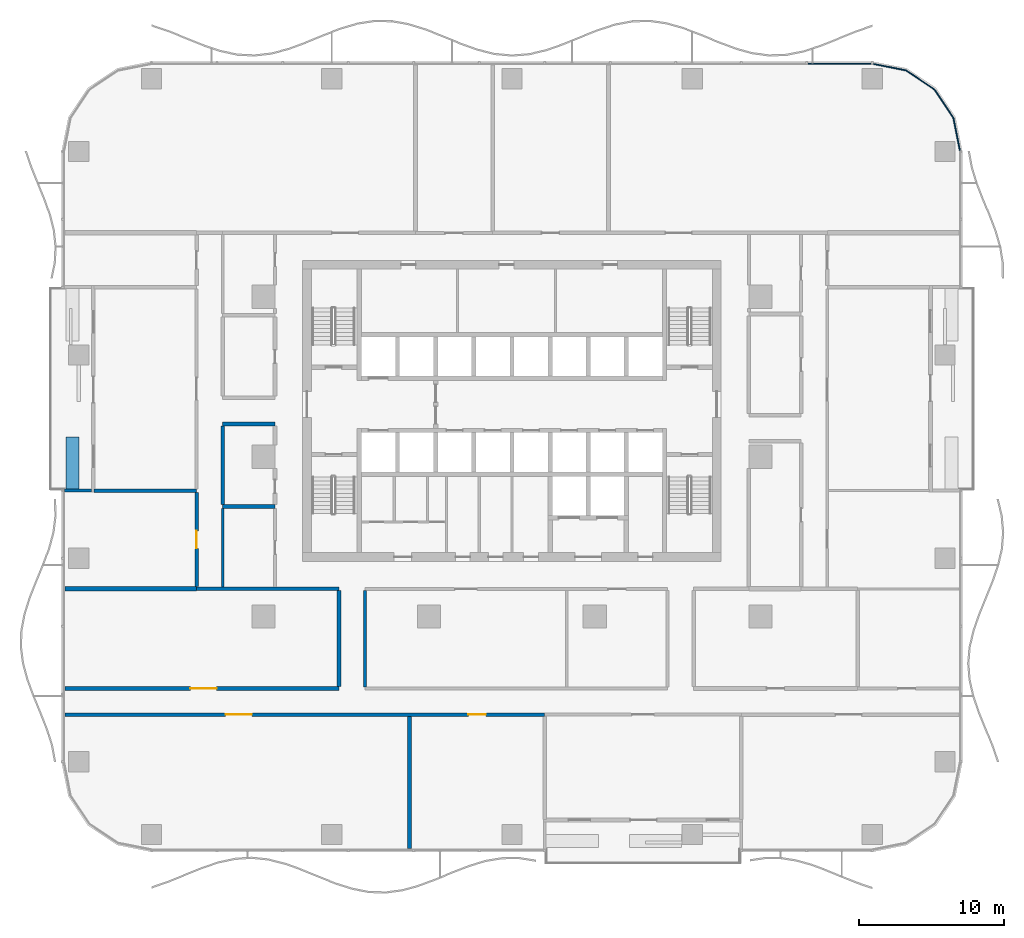
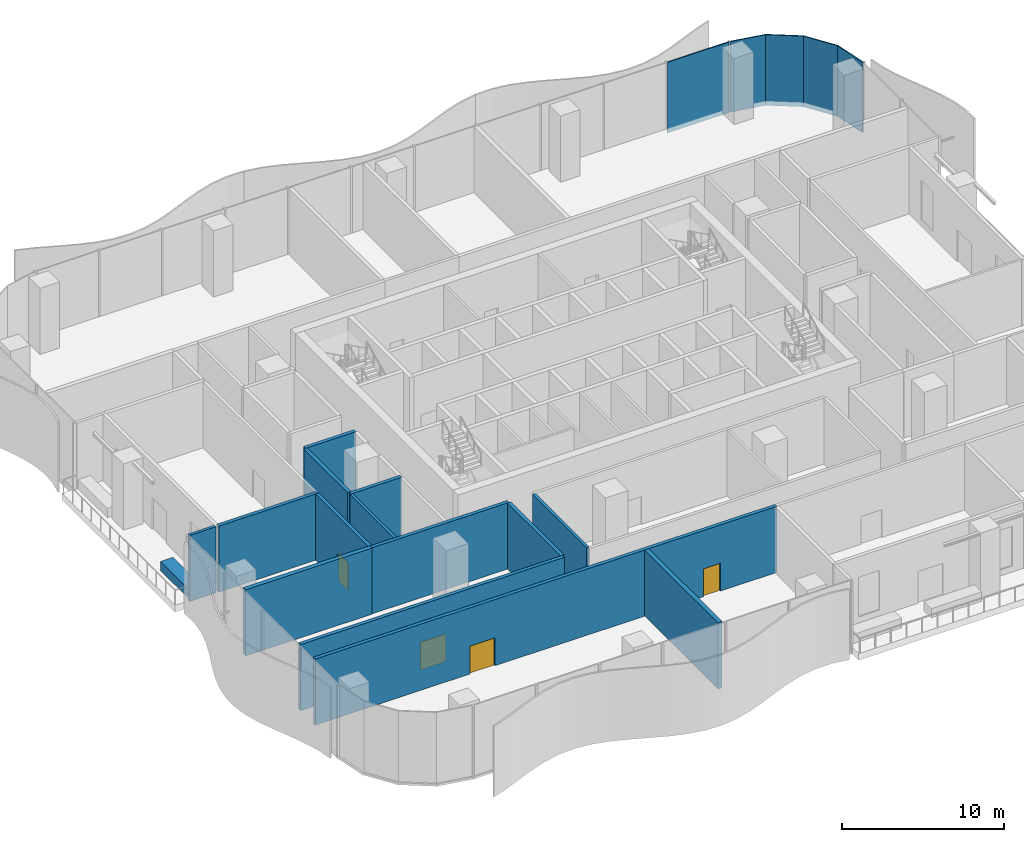
# One storey, part 7 of 21: 15 walls, 4 doors, 2 plates, 4 openings, 2 elements without a shape of their own.
"""IFC4 building model written with IfcOpenShell, lengths in metres."""

from ifc_helpers import new_model, si_unit, direction, frame, frame_2d, origin, origin_2d, place, context, subcontext, project, spatial, polyline, rectangle, outline, extrude, material, layer, layer_set, type_object, element, fill, aggregate, save


model = new_model("IFC4")

# Units and contexts
model_context = context("Model", 3, precision=1e-05, world=origin(), true_north=direction((0.0, 1.0)))
body_context = subcontext(model_context, "Body", "Model", "MODEL_VIEW")
ifc_project = project(units=[si_unit("LENGTHUNIT", "METRE"), si_unit("AREAUNIT", "SQUARE_METRE"), si_unit("VOLUMEUNIT", "CUBIC_METRE"), si_unit("PLANEANGLEUNIT", "RADIAN"), si_unit("MASSUNIT", "GRAM", prefix="KILO")], contexts=[model_context])

# Site, building, storey
site_placement = place(None, origin())
site = spatial("IfcSite", under=ifc_project, at=site_placement, CompositionType="ELEMENT")
building_placement = place(site_placement, origin())
building = spatial("IfcBuilding", under=site, at=building_placement, Name="Mopane Tessera Tower", CompositionType="ELEMENT")
storey_placement = place(building_placement, frame((0.0, 0.0, 20.0)))
storey = spatial("IfcBuildingStorey", under=building, at=storey_placement, Name="L03", CompositionType="ELEMENT", Elevation=20.0)

# Curtain wall, plate
ifc_material_1 = material(Name="Aluminium frame", Category="aluminium")
curtain_wall_type = type_object("IfcCurtainWallType", Name="Podium unitised wall", PredefinedType="NOTDEFINED", material=ifc_material_1)
curtain_wall_1_placement = place(storey_placement, origin())
curtain_wall_1 = element("IfcCurtainWall", 1, at=curtain_wall_1_placement, inside=storey, type_object=curtain_wall_type, Name="e:cw:L03:CE", PredefinedType="NOTDEFINED")
ifc_material_2 = material(Name="Limestone spandrel", Category="masonry")
ifc_layer_1 = layer(ifc_material_2, 0.080078125)
ifc_layer_set_1 = layer_set([ifc_layer_1], Name="Limestone spandrel")
plate_type = type_object("IfcPlateType", Name="Podium stone spandrel unit", PredefinedType="CURTAIN_PANEL", material=ifc_layer_set_1)
plate_1_placement = place(storey_placement, frame((0.0, 0.0, -0.340087890625)))
plate_1 = element("IfcPlate", 2, at=plate_1_placement, type_object=plate_type, Name="e:cw:L03:CE:pn", PredefinedType="CURTAIN_PANEL", context=body_context, shape_type="SweptSolid", body=[
    extrude(outline(polyline([(30.800048828125, 21.0), (30.34326171875, 23.296142578125), (29.042724609375, 25.24267578125), (27.09619140625, 26.543212890625), (24.800048828125, 27.0), (24.800048828125, 27.080078125), (27.126708984375, 26.6171875), (29.09912109375, 25.29931640625), (30.417236328125, 23.32666015625), (30.8798828125, 21.0), (30.800048828125, 21.0)])), origin(), (0.0, 0.0, 1.0), 5.340087890625),
])
aggregate(curtain_wall_1, [plate_1])

curtain_wall_2_placement = place(storey_placement, origin())
curtain_wall_2 = element("IfcCurtainWall", 3, at=curtain_wall_2_placement, inside=storey, type_object=curtain_wall_type, Name="e:cw:L03:N:0", PredefinedType="NOTDEFINED")
plate_2_placement = place(storey_placement, frame((22.54541015625, 27.0400390625, -0.33984375), z_axis=(0.0, 0.0, 1.0), x_axis=(-1.0, 0.0, 0.0)))
plate_2 = element("IfcPlate", 4, at=plate_2_placement, type_object=plate_type, Name="e:cw:L03:N:0:pn0", PredefinedType="CURTAIN_PANEL", context=body_context, shape_type="SweptSolid", body=[
    extrude(rectangle(XDim=4.384033203125, YDim=0.080078125, at=origin_2d()), origin(), (0.0, 0.0, 1.0), 5.340087890625),
])
aggregate(curtain_wall_2, [plate_2])

# Walls
ifc_material_3 = material(Name="Gypsum board on steel studs, two layers each face, mineral wool infill", Category="steel")
ifc_layer_2 = layer(ifc_material_3, 0.199951171875)
ifc_layer_set_2 = layer_set([ifc_layer_2], Name="Gypsum board on steel studs, two layers each face, mineral wool infill")
wall_type_1 = type_object("IfcWallType", Name="Gypsum board corridor wall 200, rated EI 60", PredefinedType="PARTITIONING", material=ifc_layer_set_2)
wall_1_placement = place(storey_placement, frame((-19.89990234375, -8.97509765625, 0.0), z_axis=(0.0, 0.0, 1.0), x_axis=(0.0, 1.0, 0.0)))
element("IfcWall", 5, at=wall_1_placement, inside=storey, type_object=wall_type_1, Name="Partition L03:034", PredefinedType="PARTITIONING", context=body_context, shape_type="SweptSolid", body=[
    extrude(rectangle(XDim=5.425048828125, YDim=0.199951171875, at=frame_2d((2.71240234375, 0.0))), origin(), (0.0, 0.0, 1.0), 5.0),
])
wall_2_placement = place(storey_placement, frame((-10.10009765625, -15.85009765625, 0.0), z_axis=(0.0, 0.0, 1.0), x_axis=(0.0, 1.0, 0.0)))
element("IfcWall", 6, at=wall_2_placement, inside=storey, type_object=wall_type_1, Name="Partition L03:045", PredefinedType="PARTITIONING", context=body_context, shape_type="SweptSolid", body=[
    extrude(rectangle(XDim=6.650146484375, YDim=0.199951171875, at=frame_2d((3.3251953125, 0.0))), origin(), (0.0, 0.0, 1.0), 5.0),
])
ifc_material_4 = material(Name="Reinforced concrete C32/40 with waterproofing", Category="concrete")
ifc_layer_3 = layer(ifc_material_4, 0.89990234375)
ifc_layer_set_3 = layer_set([ifc_layer_3], Name="Reinforced concrete C32/40 with waterproofing")
wall_type_2 = type_object("IfcWallType", Name="Planter trough 3600 x 900", PredefinedType="STANDARD", material=ifc_layer_set_3)
wall_3_placement = place(storey_placement, frame((-30.25, 1.36669921875, 0.0), z_axis=(0.0, 0.0, 1.0), x_axis=(0.0, -1.0, 0.0)))
element("IfcWall", 7, at=wall_3_placement, inside=storey, type_object=wall_type_2, Name="e:nw:L03:N3:pl1", PredefinedType="STANDARD", context=body_context, shape_type="SweptSolid", body=[
    extrude(rectangle(XDim=3.60009765625, YDim=0.89990234375, at=frame_2d((1.800048828125, 0.0))), origin(), (0.0, 0.0, 1.0), 0.699951171875),
])
ifc_material_5 = material(Name="Plastered concrete blockwork C20/25", Category="masonry")
ifc_layer_4 = layer(ifc_material_5, 0.300048828125)
ifc_layer_set_4 = layer_set([ifc_layer_4], Name="Plastered concrete blockwork C20/25")
wall_type_3 = type_object("IfcWallType", Name="Plastered blockwork separation wall 300, rated EI 120", PredefinedType="PARTITIONING", material=ifc_layer_set_4)
wall_4_placement = place(storey_placement, frame((-30.75, -9.10009765625, 0.0), z_axis=(0.0, 0.0, 1.0), x_axis=(1.0, 0.0, 0.0)))
element("IfcWall", 8, at=wall_4_placement, inside=storey, type_object=wall_type_3, Name="Partition L03:012", PredefinedType="PARTITIONING", context=body_context, shape_type="SweptSolid", body=[
    extrude(rectangle(XDim=9.050048828125, YDim=0.300048828125, at=frame_2d((4.52490234375, 0.0))), origin(), (0.0, 0.0, 1.0), 5.0),
])
wall_5_placement = place(storey_placement, frame((-7.050048828125, -26.949951171875, 0.0), z_axis=(0.0, 0.0, 1.0), x_axis=(0.0, 1.0, 0.0)))
element("IfcWall", 9, at=wall_5_placement, inside=storey, type_object=wall_type_3, Name="Partition L03:046", PredefinedType="PARTITIONING", context=body_context, shape_type="SweptSolid", body=[
    extrude(rectangle(XDim=9.074951171875, YDim=0.300048828125, at=frame_2d((4.53759765625, 0.0))), origin(), (0.0, 0.0, 1.0), 5.0),
])

# Wall, openings, doors
ifc_material_6 = material(Name="Plastered concrete blockwork C20/25", Category="masonry")
ifc_layer_5 = layer(ifc_material_6, 0.25)
ifc_layer_set_5 = layer_set([ifc_layer_5], Name="Plastered concrete blockwork C20/25")
wall_type_4 = type_object("IfcWallType", Name="Plastered blockwork wall 250, rated EI 120", PredefinedType="PARTITIONING", material=ifc_layer_set_5)
wall_6_placement = place(storey_placement, frame((-30.75, -17.75, 0.0), z_axis=(0.0, 0.0, 1.0), x_axis=(1.0, 0.0, 0.0)))
wall_6 = element("IfcWall", 10, at=wall_6_placement, inside=storey, type_object=wall_type_4, Name="Partition L03:001", PredefinedType="PARTITIONING", context=body_context, shape_type="SweptSolid", body=[
    extrude(rectangle(XDim=33.0048828125, YDim=0.25, at=frame_2d((16.50244140625, 0.0))), origin(), (0.0, 0.0, 1.0), 5.0),
])
opening_1_placement = place(wall_6_placement, frame((27.75244140625, 0.0, 0.0)))
opening_1 = element("IfcOpeningElement", 11, at=opening_1_placement, cuts=wall_6, Name="Opening L03-04", PredefinedType="OPENING", context=body_context, shape_type="SweptSolid", body=[
    extrude(rectangle(XDim=1.199951171875, YDim=2.10009765625, at=frame_2d((0.60009765625, 1.050048828125))), frame((0.0, 0.136962890625, 0.0), z_axis=(0.0, -1.0, 0.0), x_axis=(1.0, 0.0, 0.0)), (0.0, 0.0, 1.0), 0.27392578125),
])
opening_2_placement = place(wall_6_placement, frame((11.050048828125, 0.0, 0.0)))
opening_2 = element("IfcOpeningElement", 12, at=opening_2_placement, cuts=wall_6, Name="Opening L03-09", PredefinedType="OPENING", context=body_context, shape_type="SweptSolid", body=[
    extrude(rectangle(XDim=1.800048828125, YDim=2.10009765625, at=frame_2d((0.89990234375, 1.050048828125))), frame((0.0, 0.136962890625, 0.0), z_axis=(0.0, -1.0, 0.0), x_axis=(1.0, 0.0, 0.0)), (0.0, 0.0, 1.0), 0.27392578125),
])
ifc_material_7 = material(Name="Timber veneered steel-framed fire door", Category="steel")
door_type_1 = type_object("IfcDoorType", Name="Fire door FD120 1200 x 2100", OperationType="SINGLE_SWING_LEFT", PredefinedType="DOOR", material=ifc_material_7)
door_1_placement = place(opening_1_placement, origin())
door_1 = element("IfcDoor", 13, at=door_1_placement, inside=storey, type_object=door_type_1, Name="Door L03-04", ObjectType="D15B", OperationType="SINGLE_SWING_LEFT", OverallHeight=2.10009765625, OverallWidth=1.199951171875, PredefinedType="DOOR", context=body_context, shape_type="SweptSolid", body=[
    extrude(rectangle(XDim=1.199951171875, YDim=2.10009765625, at=frame_2d((0.60009765625, 1.050048828125))), frame((0.0, 0.02490234375, 0.0), z_axis=(0.0, -1.0, 0.0), x_axis=(1.0, 0.0, 0.0)), (0.0, 0.0, 1.0), 0.050048828125),
])
fill(opening_1, door_1)
ifc_material_8 = material(Name="Timber veneered steel-framed fire door", Category="steel")
door_type_2 = type_object("IfcDoorType", Name="Fire door pair FD120 1800 x 2100", OperationType="DOUBLE_DOOR_SINGLE_SWING", PredefinedType="DOOR", material=ifc_material_8)
door_2_placement = place(opening_2_placement, origin())
door_2 = element("IfcDoor", 14, at=door_2_placement, inside=storey, type_object=door_type_2, Name="Door L03-09", ObjectType="D20B", OperationType="DOUBLE_DOOR_SINGLE_SWING", OverallHeight=2.10009765625, OverallWidth=1.800048828125, PredefinedType="DOOR", context=body_context, shape_type="SweptSolid", body=[
    extrude(rectangle(XDim=1.800048828125, YDim=2.10009765625, at=frame_2d((0.89990234375, 1.050048828125))), frame((0.0, 0.02490234375, 0.0), z_axis=(0.0, -1.0, 0.0), x_axis=(1.0, 0.0, 0.0)), (0.0, 0.0, 1.0), 0.050048828125),
])
fill(opening_2, door_2)

# Wall, opening, door
wall_7_placement = place(storey_placement, frame((-30.75, -15.949951171875, 0.0), z_axis=(0.0, 0.0, 1.0), x_axis=(1.0, 0.0, 0.0)))
wall_7 = element("IfcWall", 15, at=wall_7_placement, inside=storey, type_object=wall_type_4, Name="Partition L03:005", PredefinedType="PARTITIONING", context=body_context, shape_type="SweptSolid", body=[
    extrude(rectangle(XDim=18.85009765625, YDim=0.25, at=frame_2d((9.425048828125, 0.0))), origin(), (0.0, 0.0, 1.0), 5.0),
])
opening_3_placement = place(wall_7_placement, frame((8.625, 0.0, 0.0)))
opening_3 = element("IfcOpeningElement", 16, at=opening_3_placement, cuts=wall_7, Name="Opening L03-13", PredefinedType="OPENING", context=body_context, shape_type="SweptSolid", body=[
    extrude(rectangle(XDim=1.800048828125, YDim=2.10009765625, at=frame_2d((0.89990234375, 1.050048828125))), frame((0.0, 0.136962890625, 0.0), z_axis=(0.0, -1.0, 0.0), x_axis=(1.0, 0.0, 0.0)), (0.0, 0.0, 1.0), 0.27392578125),
])
door_3_placement = place(opening_3_placement, origin())
door_3 = element("IfcDoor", 17, at=door_3_placement, inside=storey, type_object=door_type_2, Name="Door L03-13", ObjectType="D20B", OperationType="DOUBLE_DOOR_SINGLE_SWING", OverallHeight=2.10009765625, OverallWidth=1.800048828125, PredefinedType="DOOR", context=body_context, shape_type="SweptSolid", body=[
    extrude(rectangle(XDim=1.800048828125, YDim=2.10009765625, at=frame_2d((0.89990234375, 1.050048828125))), frame((0.0, 0.02490234375, 0.0), z_axis=(0.0, -1.0, 0.0), x_axis=(1.0, 0.0, 0.0)), (0.0, 0.0, 1.0), 0.050048828125),
])
fill(opening_3, door_3)

# Walls
wall_8_placement = place(storey_placement, frame((-21.699951171875, -9.10009765625, 0.0), z_axis=(0.0, 0.0, 1.0), x_axis=(1.0, 0.0, 0.0)))
element("IfcWall", 18, at=wall_8_placement, inside=storey, type_object=wall_type_4, Name="Partition L03:009", PredefinedType="PARTITIONING", context=body_context, shape_type="SweptSolid", body=[
    extrude(rectangle(XDim=9.800048828125, YDim=0.25, at=frame_2d((4.89990234375, 0.0))), origin(), (0.0, 0.0, 1.0), 5.0),
])
wall_9_placement = place(storey_placement, frame((-19.89990234375, -3.425048828125, 0.0), z_axis=(0.0, 0.0, 1.0), x_axis=(1.0, 0.0, 0.0)))
element("IfcWall", 19, at=wall_9_placement, inside=storey, type_object=wall_type_4, Name="Partition L03:014", PredefinedType="PARTITIONING", context=body_context, shape_type="SweptSolid", body=[
    extrude(rectangle(XDim=3.599853515625, YDim=0.25, at=frame_2d((1.7998046875, 0.0))), origin(), (0.0, 0.0, 1.0), 5.0),
])
wall_10_placement = place(storey_placement, frame((-28.75, -2.3349609375, 0.0), z_axis=(0.0, 0.0, 1.0), x_axis=(1.0, 0.0, 0.0)))
element("IfcWall", 20, at=wall_10_placement, inside=storey, type_object=wall_type_4, Name="Partition L03:016", PredefinedType="PARTITIONING", context=body_context, shape_type="SweptSolid", body=[
    extrude(rectangle(XDim=7.050048828125, YDim=0.25, at=frame_2d((3.52490234375, 0.0))), origin(), (0.0, 0.0, 1.0), 5.0),
])
wall_11_placement = place(storey_placement, frame((-19.89990234375, 2.25, 0.0), z_axis=(0.0, 0.0, 1.0), x_axis=(1.0, 0.0, 0.0)))
element("IfcWall", 21, at=wall_11_placement, inside=storey, type_object=wall_type_4, Name="Partition L03:018", PredefinedType="PARTITIONING", context=body_context, shape_type="SweptSolid", body=[
    extrude(rectangle(XDim=3.599853515625, YDim=0.25, at=frame_2d((1.7998046875, 0.0))), origin(), (0.0, 0.0, 1.0), 5.0),
])

# Wall, opening, door
wall_12_placement = place(storey_placement, frame((-21.699951171875, -8.949951171875, 0.0), z_axis=(0.0, 0.0, 1.0), x_axis=(0.0, 1.0, 0.0)))
wall_12 = element("IfcWall", 22, at=wall_12_placement, inside=storey, type_object=wall_type_4, Name="Partition L03:032", PredefinedType="PARTITIONING", context=body_context, shape_type="SweptSolid", body=[
    extrude(rectangle(XDim=6.489990234375, YDim=0.25, at=frame_2d((3.2451171875, 0.0))), origin(), (0.0, 0.0, 1.0), 5.0),
])
opening_4_placement = place(wall_12_placement, frame((2.64501953125, 0.0, 0.0)))
opening_4 = element("IfcOpeningElement", 23, at=opening_4_placement, cuts=wall_12, Name="Opening L03-05", PredefinedType="OPENING", context=body_context, shape_type="SweptSolid", body=[
    extrude(rectangle(XDim=1.199951171875, YDim=2.10009765625, at=frame_2d((0.60009765625, 1.050048828125))), frame((0.0, 0.136962890625, 0.0), z_axis=(0.0, -1.0, 0.0), x_axis=(1.0, 0.0, 0.0)), (0.0, 0.0, 1.0), 0.27392578125),
])
door_4_placement = place(opening_4_placement, origin())
door_4 = element("IfcDoor", 24, at=door_4_placement, inside=storey, type_object=door_type_1, Name="Door L03-05", ObjectType="D15B", OperationType="SINGLE_SWING_LEFT", OverallHeight=2.10009765625, OverallWidth=1.199951171875, PredefinedType="DOOR", context=body_context, shape_type="SweptSolid", body=[
    extrude(rectangle(XDim=1.199951171875, YDim=2.10009765625, at=frame_2d((0.60009765625, 1.050048828125))), frame((0.0, 0.02490234375, 0.0), z_axis=(0.0, -1.0, 0.0), x_axis=(1.0, 0.0, 0.0)), (0.0, 0.0, 1.0), 0.050048828125),
])
fill(opening_4, door_4)

# Walls
wall_13_placement = place(storey_placement, frame((-19.89990234375, -3.300048828125, 0.0), z_axis=(0.0, 0.0, 1.0), x_axis=(0.0, 1.0, 0.0)))
element("IfcWall", 25, at=wall_13_placement, inside=storey, type_object=wall_type_4, Name="Partition L03:036", PredefinedType="PARTITIONING", context=body_context, shape_type="SweptSolid", body=[
    extrude(rectangle(XDim=5.425048828125, YDim=0.25, at=frame_2d((2.71240234375, 0.0))), origin(), (0.0, 0.0, 1.0), 5.0),
])
wall_14_placement = place(storey_placement, frame((-11.89990234375, -15.824951171875, 0.0), z_axis=(0.0, 0.0, 1.0), x_axis=(0.0, 1.0, 0.0)))
element("IfcWall", 26, at=wall_14_placement, inside=storey, type_object=wall_type_4, Name="Partition L03:044", PredefinedType="PARTITIONING", context=body_context, shape_type="SweptSolid", body=[
    extrude(rectangle(XDim=6.599853515625, YDim=0.25, at=frame_2d((3.2998046875, 0.0))), origin(), (0.0, 0.0, 1.0), 5.0),
])
ifc_material_9 = material(Name="Blockwork with glazed tile facing", Category="masonry")
ifc_layer_6 = layer(ifc_material_9, 0.199951171875)
ifc_layer_set_6 = layer_set([ifc_layer_6], Name="Blockwork with glazed tile facing")
wall_type_5 = type_object("IfcWallType", Name="Terrace cheek wall 200", PredefinedType="STANDARD", material=ifc_layer_set_6)
wall_15_placement = place(storey_placement, frame((-30.800048828125, -2.333251953125, 0.0), z_axis=(0.0, 0.0, 1.0), x_axis=(1.0, 0.0, 0.0)))
element("IfcWall", 27, at=wall_15_placement, inside=storey, type_object=wall_type_5, Name="e:nw:L03:N3:cheekb", PredefinedType="STANDARD", context=body_context, shape_type="SweptSolid", body=[
    extrude(rectangle(XDim=1.875, YDim=0.199951171875, at=frame_2d((0.9375, 0.0))), origin(), (0.0, 0.0, 1.0), 5.0),
])

save(model, "model.ifc")
